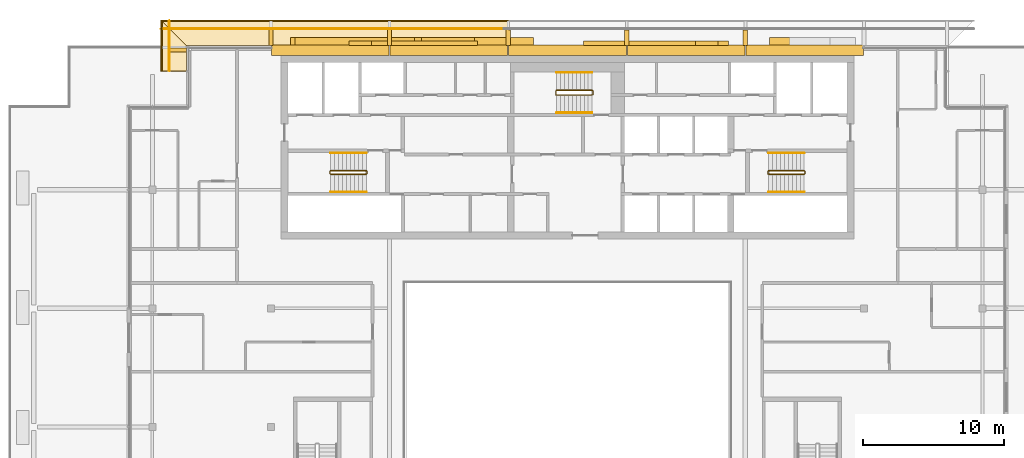
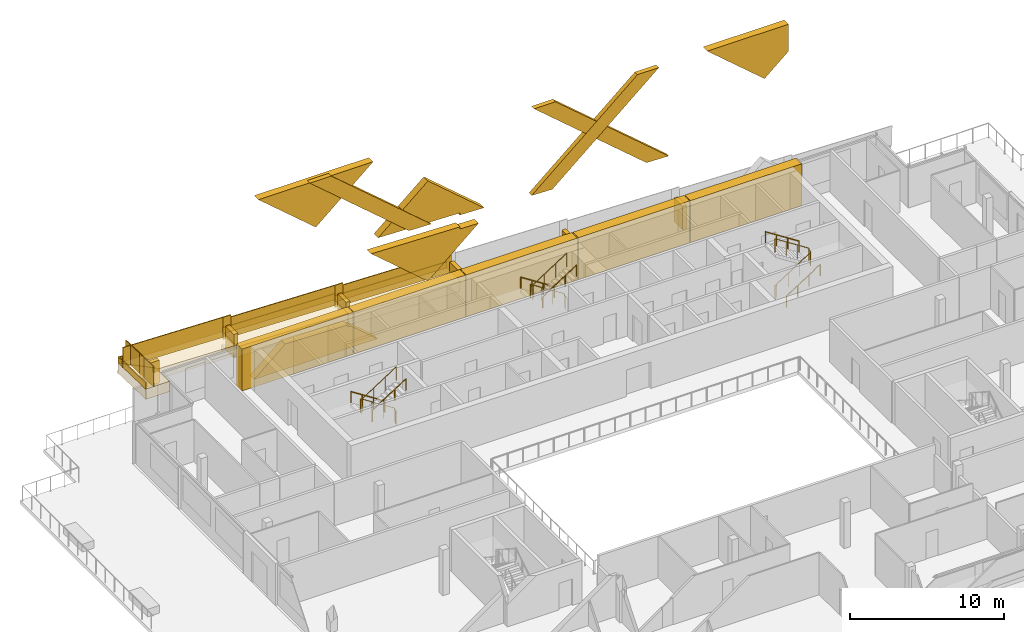
# One storey, part 26 of 29: 27 coverings, 16 railings.
"""IFC4 building model written with IfcOpenShell, lengths in metres."""

from ifc_helpers import new_model, si_unit, direction, frame, origin, origin_2d, place, context, subcontext, project, spatial, polyline, rectangle, circle, outline, extrude, material, layer, layer_set, type_object, element, save


model = new_model("IFC4")

# Units and contexts
model_context = context("Model", 3, precision=1e-05, world=origin(), true_north=direction((0.0, 1.0)))
body_context = subcontext(model_context, "Body", "Model", "MODEL_VIEW")
ifc_project = project(units=[si_unit("LENGTHUNIT", "METRE"), si_unit("AREAUNIT", "SQUARE_METRE"), si_unit("VOLUMEUNIT", "CUBIC_METRE"), si_unit("PLANEANGLEUNIT", "RADIAN"), si_unit("MASSUNIT", "GRAM", prefix="KILO")], contexts=[model_context])

# Site, building, storey
site_placement = place(None, origin())
site = spatial("IfcSite", under=ifc_project, at=site_placement, CompositionType="ELEMENT")
building_placement = place(site_placement, origin())
building = spatial("IfcBuilding", under=site, at=building_placement, Name="Saffron Gate Tower", CompositionType="ELEMENT")
storey_placement = place(building_placement, frame((0.0, 0.0, 270.75)))
storey = spatial("IfcBuildingStorey", under=building, at=storey_placement, Name="L65", CompositionType="ELEMENT", Elevation=270.75)

# Coverings
ifc_material_1 = material(Name="Ceramic-printed bronze insulated panel")
ifc_layer_1 = layer(ifc_material_1, 0.739990234375)
ifc_layer_set_1 = layer_set([ifc_layer_1], Name="CLD5 ceramic-printed cladding panel 740")
covering_type_1 = type_object("IfcCoveringType", Name="CLD5 ceramic-printed cladding panel 740", PredefinedType="CLADDING", material=ifc_layer_set_1)
covering_1_placement = place(storey_placement, origin())
element("IfcCovering", 1, at=covering_1_placement, inside=storey, type_object=covering_type_1, Name="CLADDING ceramic-printed panel", PredefinedType="CLADDING", context=body_context, shape_type="SweptSolid", body=[
    extrude(outline(polyline([(108.56494140625, 75.639892578125), (100.235107421875, 75.639892578125), (100.235107421875, 74.89990234375), (108.56494140625, 74.89990234375), (108.56494140625, 75.639892578125)])), origin(), (0.0, 0.0, 1.0), 3.320068359375),
])
covering_2_placement = place(storey_placement, origin())
element("IfcCovering", 2, at=covering_2_placement, inside=storey, type_object=covering_type_1, Name="CLADDING ceramic-printed panel", PredefinedType="CLADDING", context=body_context, shape_type="SweptSolid", body=[
    extrude(outline(polyline([(100.1650390625, 75.639892578125), (91.8349609375, 75.639892578125), (91.8349609375, 74.89990234375), (100.1650390625, 74.89990234375), (100.1650390625, 75.639892578125)])), origin(), (0.0, 0.0, 1.0), 3.320068359375),
])
covering_3_placement = place(storey_placement, origin())
element("IfcCovering", 3, at=covering_3_placement, inside=storey, type_object=covering_type_1, Name="CLADDING ceramic-printed panel", PredefinedType="CLADDING", context=body_context, shape_type="SweptSolid", body=[
    extrude(outline(polyline([(91.764892578125, 75.639892578125), (83.43505859375, 75.639892578125), (83.43505859375, 74.89990234375), (91.764892578125, 74.89990234375), (91.764892578125, 75.639892578125)])), origin(), (0.0, 0.0, 1.0), 3.320068359375),
])
covering_4_placement = place(storey_placement, origin())
element("IfcCovering", 4, at=covering_4_placement, inside=storey, type_object=covering_type_1, Name="CLADDING ceramic-printed panel", PredefinedType="CLADDING", context=body_context, shape_type="SweptSolid", body=[
    extrude(outline(polyline([(83.364990234375, 75.639892578125), (75.034912109375, 75.639892578125), (75.034912109375, 74.89990234375), (83.364990234375, 74.89990234375), (83.364990234375, 75.639892578125)])), origin(), (0.0, 0.0, 1.0), 3.320068359375),
])
covering_5_placement = place(storey_placement, origin())
element("IfcCovering", 5, at=covering_5_placement, inside=storey, type_object=covering_type_1, Name="CLADDING ceramic-printed panel", PredefinedType="CLADDING", context=body_context, shape_type="SweptSolid", body=[
    extrude(outline(polyline([(74.965087890625, 75.639892578125), (66.635009765625, 75.639892578125), (66.635009765625, 74.89990234375), (74.965087890625, 74.89990234375), (74.965087890625, 75.639892578125)])), origin(), (0.0, 0.0, 1.0), 3.320068359375),
])

# Railings
ifc_material_2 = material(Name="Stainless steel and laminated glass", Category="steel")
railing_type_1 = type_object("IfcRailingType", Name="CR1 Stair guard 1100", PredefinedType="GUARDRAIL", material=ifc_material_2)
railing_1_placement = place(storey_placement, frame((73.39990234375, 66.550048828125, 0.0)))
element("IfcRailing", 6, at=railing_1_placement, inside=storey, type_object=railing_type_1, Name="L65 ST-A stair guard 1", PredefinedType="GUARDRAIL", context=body_context, shape_type="SweptSolid", body=[
    extrude(circle(Radius=0.02392578125, at=origin_2d()), frame((0.0, 0.0, 1.076171875), z_axis=(0.0, 1.0, 0.0), x_axis=(-1.0, 0.0, 0.0)), (0.0, 0.0, 1.0), 0.14990234375),
    extrude(circle(Radius=0.02392578125, at=origin_2d()), frame((0.0, 0.14990234375, 1.076171875), z_axis=(-0.257669022063, 0.258932105505, 0.930892496375), x_axis=(-0.708833529934, -0.705375805398, 0.0)), (0.0, 0.0, 1.0), 0.193359375),
    extrude(circle(Radius=0.02392578125, at=origin_2d()), frame((-0.0498046875, 0.199951171875, 1.255859375), z_axis=(-0.841162588446, 0.0, 0.540782303519), x_axis=(0.0, -1.0, 0.0)), (0.0, 0.0, 1.0), 2.995849609375),
    extrude(circle(Radius=0.02392578125, at=origin_2d()), frame((-2.56982421875, 0.199951171875, 2.8759765625), z_axis=(-0.707106781187, -0.707106781187, 0.0), x_axis=(0.707106781187, -0.707106781187, 0.0)), (0.0, 0.0, 1.0), 0.07080078125),
    extrude(circle(Radius=0.02392578125, at=origin_2d()), frame((-2.619873046875, 0.14990234375, 2.8759765625), z_axis=(0.0, -1.0, 0.0), x_axis=(1.0, 0.0, 0.0)), (0.0, 0.0, 1.0), 0.14990234375),
    extrude(circle(Radius=0.02392578125, at=origin_2d()), frame((-2.619873046875, 0.0, 2.8759765625), z_axis=(0.258847668887, -0.258847668887, 0.930588936439), x_axis=(0.707106781187, 0.707106781187, 0.0)), (0.0, 0.0, 1.0), 0.193359375),
    extrude(circle(Radius=0.02392578125, at=origin_2d()), frame((-2.56982421875, -0.050048828125, 3.05615234375), z_axis=(0.841162588446, 0.0, 0.540782303519), x_axis=(0.0, 1.0, 0.0)), (0.0, 0.0, 1.0), 2.995849609375),
    extrude(circle(Radius=0.02099609375, at=origin_2d()), origin(), (0.0, 0.0, 1.0), 1.052001953125),
    extrude(circle(Radius=0.02099609375, at=origin_2d()), frame((0.0, 0.14990234375, 0.0)), (0.0, 0.0, 1.0), 1.052001953125),
    extrude(circle(Radius=0.02099609375, at=origin_2d()), frame((-0.0498046875, 0.199951171875, 0.179931640625)), (0.0, 0.0, 1.0), 1.052001953125),
    extrude(circle(Radius=0.02099609375, at=origin_2d()), frame((-0.889892578125, 0.199951171875, 0.719970703125)), (0.0, 0.0, 1.0), 1.052001953125),
    extrude(circle(Radius=0.02099609375, at=origin_2d()), frame((-1.729736328125, 0.199951171875, 1.260009765625)), (0.0, 0.0, 1.0), 1.052001953125),
    extrude(circle(Radius=0.02099609375, at=origin_2d()), frame((-2.56982421875, 0.199951171875, 1.800048828125)), (0.0, 0.0, 1.0), 1.052001953125),
    extrude(circle(Radius=0.02099609375, at=origin_2d()), frame((-2.619873046875, 0.14990234375, 1.800048828125)), (0.0, 0.0, 1.0), 1.052001953125),
    extrude(circle(Radius=0.02099609375, at=origin_2d()), frame((-2.619873046875, 0.0, 1.800048828125)), (0.0, 0.0, 1.0), 1.052001953125),
    extrude(circle(Radius=0.02099609375, at=origin_2d()), frame((-2.56982421875, -0.050048828125, 1.97998046875)), (0.0, 0.0, 1.0), 1.052001953125),
    extrude(circle(Radius=0.02099609375, at=origin_2d()), frame((-1.729736328125, -0.050048828125, 2.52001953125)), (0.0, 0.0, 1.0), 1.052001953125),
    extrude(circle(Radius=0.02099609375, at=origin_2d()), frame((-0.889892578125, -0.050048828125, 3.06005859375)), (0.0, 0.0, 1.0), 1.052001953125),
    extrude(circle(Radius=0.02099609375, at=origin_2d()), frame((-0.0498046875, -0.050048828125, 3.60009765625)), (0.0, 0.0, 1.0), 1.052001953125),
])
railing_2_placement = place(storey_placement, frame((101.800048828125, 66.699951171875, 0.0)))
element("IfcRailing", 7, at=railing_2_placement, inside=storey, type_object=railing_type_1, Name="L65 ST-B stair guard 1", PredefinedType="GUARDRAIL", context=body_context, shape_type="SweptSolid", body=[
    extrude(circle(Radius=0.02392578125, at=origin_2d()), frame((0.0, 0.0, 1.076171875), z_axis=(0.0, -1.0, 0.0), x_axis=(1.0, 0.0, 0.0)), (0.0, 0.0, 1.0), 0.14990234375),
    extrude(circle(Radius=0.02392578125, at=origin_2d()), frame((0.0, -0.14990234375, 1.076171875), z_axis=(0.258847668887, -0.258847668887, 0.930588936439), x_axis=(0.707106781187, 0.707106781187, 0.0)), (0.0, 0.0, 1.0), 0.193359375),
    extrude(circle(Radius=0.02392578125, at=origin_2d()), frame((0.050048828125, -0.199951171875, 1.255859375), z_axis=(0.841162588446, 0.0, 0.540782303519), x_axis=(0.0, 1.0, 0.0)), (0.0, 0.0, 1.0), 2.995849609375),
    extrude(circle(Radius=0.02392578125, at=origin_2d()), frame((2.570068359375, -0.199951171875, 2.8759765625), z_axis=(0.705375805398, 0.708833529934, 0.0), x_axis=(-0.708833529934, 0.705375805398, 0.0)), (0.0, 0.0, 1.0), 0.070556640625),
    extrude(circle(Radius=0.02392578125, at=origin_2d()), frame((2.619873046875, -0.14990234375, 2.8759765625), z_axis=(0.0, 1.0, 0.0), x_axis=(-1.0, 0.0, 0.0)), (0.0, 0.0, 1.0), 0.14990234375),
    extrude(circle(Radius=0.02392578125, at=origin_2d()), frame((2.619873046875, 0.0, 2.8759765625), z_axis=(-0.257669022063, 0.258932105505, 0.930892496375), x_axis=(-0.708833529934, -0.705375805398, 0.0)), (0.0, 0.0, 1.0), 0.193359375),
    extrude(circle(Radius=0.02392578125, at=origin_2d()), frame((2.570068359375, 0.050048828125, 3.05615234375), z_axis=(-0.841162588446, 0.0, 0.540782303519), x_axis=(0.0, -1.0, 0.0)), (0.0, 0.0, 1.0), 2.995849609375),
    extrude(circle(Radius=0.02099609375, at=origin_2d()), origin(), (0.0, 0.0, 1.0), 1.052001953125),
    extrude(circle(Radius=0.02099609375, at=origin_2d()), frame((0.0, -0.14990234375, 0.0)), (0.0, 0.0, 1.0), 1.052001953125),
    extrude(circle(Radius=0.02099609375, at=origin_2d()), frame((0.050048828125, -0.199951171875, 0.179931640625)), (0.0, 0.0, 1.0), 1.052001953125),
    extrude(circle(Radius=0.02099609375, at=origin_2d()), frame((0.89013671875, -0.199951171875, 0.719970703125)), (0.0, 0.0, 1.0), 1.052001953125),
    extrude(circle(Radius=0.02099609375, at=origin_2d()), frame((1.72998046875, -0.199951171875, 1.260009765625)), (0.0, 0.0, 1.0), 1.052001953125),
    extrude(circle(Radius=0.02099609375, at=origin_2d()), frame((2.570068359375, -0.199951171875, 1.800048828125)), (0.0, 0.0, 1.0), 1.052001953125),
    extrude(circle(Radius=0.02099609375, at=origin_2d()), frame((2.619873046875, -0.14990234375, 1.800048828125)), (0.0, 0.0, 1.0), 1.052001953125),
    extrude(circle(Radius=0.02099609375, at=origin_2d()), frame((2.619873046875, 0.0, 1.800048828125)), (0.0, 0.0, 1.0), 1.052001953125),
    extrude(circle(Radius=0.02099609375, at=origin_2d()), frame((2.570068359375, 0.050048828125, 1.97998046875)), (0.0, 0.0, 1.0), 1.052001953125),
    extrude(circle(Radius=0.02099609375, at=origin_2d()), frame((1.72998046875, 0.050048828125, 2.52001953125)), (0.0, 0.0, 1.0), 1.052001953125),
    extrude(circle(Radius=0.02099609375, at=origin_2d()), frame((0.89013671875, 0.050048828125, 3.06005859375)), (0.0, 0.0, 1.0), 1.052001953125),
    extrude(circle(Radius=0.02099609375, at=origin_2d()), frame((0.050048828125, 0.050048828125, 3.60009765625)), (0.0, 0.0, 1.0), 1.052001953125),
])
railing_3_placement = place(storey_placement, frame((89.39990234375, 72.14990234375, 0.0)))
element("IfcRailing", 8, at=railing_3_placement, inside=storey, type_object=railing_type_1, Name="L65 ST-C stair guard 1", PredefinedType="GUARDRAIL", context=body_context, shape_type="SweptSolid", body=[
    extrude(circle(Radius=0.02392578125, at=origin_2d()), frame((0.0, 0.0, 1.076171875), z_axis=(0.0, 1.0, 0.0), x_axis=(-1.0, 0.0, 0.0)), (0.0, 0.0, 1.0), 0.25),
    extrude(circle(Radius=0.02392578125, at=origin_2d()), frame((0.0, 0.25, 1.076171875), z_axis=(-0.257669022063, 0.258932105505, 0.930892496375), x_axis=(-0.708833529934, -0.705375805398, 0.0)), (0.0, 0.0, 1.0), 0.193359375),
    extrude(circle(Radius=0.02392578125, at=origin_2d()), frame((-0.0498046875, 0.300048828125, 1.255859375), z_axis=(-0.841162588446, 0.0, 0.540782303519), x_axis=(0.0, -1.0, 0.0)), (0.0, 0.0, 1.0), 2.995849609375),
    extrude(circle(Radius=0.02392578125, at=origin_2d()), frame((-2.56982421875, 0.300048828125, 2.8759765625), z_axis=(-0.707106781187, -0.707106781187, 0.0), x_axis=(0.707106781187, -0.707106781187, 0.0)), (0.0, 0.0, 1.0), 0.07080078125),
    extrude(circle(Radius=0.02392578125, at=origin_2d()), frame((-2.619873046875, 0.25, 2.8759765625), z_axis=(0.0, -1.0, 0.0), x_axis=(1.0, 0.0, 0.0)), (0.0, 0.0, 1.0), 0.25),
    extrude(circle(Radius=0.02392578125, at=origin_2d()), frame((-2.619873046875, 0.0, 2.8759765625), z_axis=(0.258932105505, -0.257669022063, 0.930892496375), x_axis=(0.705375805398, 0.708833529934, 0.0)), (0.0, 0.0, 1.0), 0.193359375),
    extrude(circle(Radius=0.02392578125, at=origin_2d()), frame((-2.56982421875, -0.0498046875, 3.05615234375), z_axis=(0.841162588446, 0.0, 0.540782303519), x_axis=(0.0, 1.0, 0.0)), (0.0, 0.0, 1.0), 2.995849609375),
    extrude(circle(Radius=0.02099609375, at=origin_2d()), origin(), (0.0, 0.0, 1.0), 1.052001953125),
    extrude(circle(Radius=0.02099609375, at=origin_2d()), frame((0.0, 0.25, 0.0)), (0.0, 0.0, 1.0), 1.052001953125),
    extrude(circle(Radius=0.02099609375, at=origin_2d()), frame((-0.0498046875, 0.300048828125, 0.179931640625)), (0.0, 0.0, 1.0), 1.052001953125),
    extrude(circle(Radius=0.02099609375, at=origin_2d()), frame((-0.889892578125, 0.300048828125, 0.719970703125)), (0.0, 0.0, 1.0), 1.052001953125),
    extrude(circle(Radius=0.02099609375, at=origin_2d()), frame((-1.729736328125, 0.300048828125, 1.260009765625)), (0.0, 0.0, 1.0), 1.052001953125),
    extrude(circle(Radius=0.02099609375, at=origin_2d()), frame((-2.56982421875, 0.300048828125, 1.800048828125)), (0.0, 0.0, 1.0), 1.052001953125),
    extrude(circle(Radius=0.02099609375, at=origin_2d()), frame((-2.619873046875, 0.25, 1.800048828125)), (0.0, 0.0, 1.0), 1.052001953125),
    extrude(circle(Radius=0.02099609375, at=origin_2d()), frame((-2.619873046875, 0.0, 1.800048828125)), (0.0, 0.0, 1.0), 1.052001953125),
    extrude(circle(Radius=0.02099609375, at=origin_2d()), frame((-2.56982421875, -0.0498046875, 1.97998046875)), (0.0, 0.0, 1.0), 1.052001953125),
    extrude(circle(Radius=0.02099609375, at=origin_2d()), frame((-1.729736328125, -0.0498046875, 2.52001953125)), (0.0, 0.0, 1.0), 1.052001953125),
    extrude(circle(Radius=0.02099609375, at=origin_2d()), frame((-0.889892578125, -0.0498046875, 3.06005859375)), (0.0, 0.0, 1.0), 1.052001953125),
    extrude(circle(Radius=0.02099609375, at=origin_2d()), frame((-0.0498046875, -0.0498046875, 3.60009765625)), (0.0, 0.0, 1.0), 1.052001953125),
])
ifc_material_3 = material(Name="Stainless steel", Category="steel")
railing_type_2 = type_object("IfcRailingType", Name="CR2 Stair handrail 900", PredefinedType="HANDRAIL", material=ifc_material_3)
railing_4_placement = place(storey_placement, frame((73.35009765625, 68.0, 0.179931640625)))
element("IfcRailing", 9, at=railing_4_placement, inside=storey, type_object=railing_type_2, Name="L65 ST-A stair handrail 1", PredefinedType="HANDRAIL", context=body_context, shape_type="SweptSolid", body=[
    extrude(circle(Radius=0.02392578125, at=origin_2d()), frame((0.0, 0.0, 0.8759765625), z_axis=(-0.841162588446, 0.0, 0.540782303519), x_axis=(0.0, -1.0, 0.0)), (0.0, 0.0, 1.0), 2.995849609375),
    extrude(circle(Radius=0.02099609375, at=origin_2d()), origin(), (0.0, 0.0, 1.0), 0.851806640625),
    extrude(circle(Radius=0.02099609375, at=origin_2d()), frame((-0.840087890625, 0.0, 0.5400390625)), (0.0, 0.0, 1.0), 0.851806640625),
    extrude(circle(Radius=0.02099609375, at=origin_2d()), frame((-1.679931640625, 0.0, 1.080078125)), (0.0, 0.0, 1.0), 0.851806640625),
    extrude(circle(Radius=0.02099609375, at=origin_2d()), frame((-2.52001953125, 0.0, 1.6201171875)), (0.0, 0.0, 1.0), 0.851806640625),
])
for number, where, name in (
    (10, (70.830078125, 65.25, 1.97998046875), "L65 ST-A stair handrail 2"),
    (11, (101.85009765625, 65.25, 0.179931640625), "L65 ST-B stair handrail 1"),
):
    element("IfcRailing", number, at=place(storey_placement, frame(where)), inside=storey, type_object=railing_type_2, Name=name, PredefinedType="HANDRAIL", context=body_context, shape_type="SweptSolid", body=[
        extrude(circle(Radius=0.02392578125, at=origin_2d()), frame((0.0, 0.0, 0.8759765625), z_axis=(0.841162588446, 0.0, 0.540782303519), x_axis=(0.0, 1.0, 0.0)), (0.0, 0.0, 1.0), 2.995849609375),
        extrude(circle(Radius=0.02099609375, at=origin_2d()), origin(), (0.0, 0.0, 1.0), 0.851806640625),
        extrude(circle(Radius=0.02099609375, at=origin_2d()), frame((0.840087890625, 0.0, 0.5400390625)), (0.0, 0.0, 1.0), 0.851806640625),
        extrude(circle(Radius=0.02099609375, at=origin_2d()), frame((1.679931640625, 0.0, 1.080078125)), (0.0, 0.0, 1.0), 0.851806640625),
        extrude(circle(Radius=0.02099609375, at=origin_2d()), frame((2.52001953125, 0.0, 1.6201171875)), (0.0, 0.0, 1.0), 0.851806640625),
    ])
for number, where, name in (
    (12, (104.3701171875, 68.0, 1.97998046875), "L65 ST-B stair handrail 2"),
    (13, (89.35009765625, 73.699951171875, 0.179931640625), "L65 ST-C stair handrail 1"),
):
    element("IfcRailing", number, at=place(storey_placement, frame(where)), inside=storey, type_object=railing_type_2, Name=name, PredefinedType="HANDRAIL", context=body_context, shape_type="SweptSolid", body=[
        extrude(circle(Radius=0.02392578125, at=origin_2d()), frame((0.0, 0.0, 0.8759765625), z_axis=(-0.841162588446, 0.0, 0.540782303519), x_axis=(0.0, -1.0, 0.0)), (0.0, 0.0, 1.0), 2.995849609375),
        extrude(circle(Radius=0.02099609375, at=origin_2d()), origin(), (0.0, 0.0, 1.0), 0.851806640625),
        extrude(circle(Radius=0.02099609375, at=origin_2d()), frame((-0.840087890625, 0.0, 0.5400390625)), (0.0, 0.0, 1.0), 0.851806640625),
        extrude(circle(Radius=0.02099609375, at=origin_2d()), frame((-1.679931640625, 0.0, 1.080078125)), (0.0, 0.0, 1.0), 0.851806640625),
        extrude(circle(Radius=0.02099609375, at=origin_2d()), frame((-2.52001953125, 0.0, 1.6201171875)), (0.0, 0.0, 1.0), 0.851806640625),
    ])
railing_5_placement = place(storey_placement, frame((86.830078125, 70.85009765625, 1.97998046875)))
element("IfcRailing", 14, at=railing_5_placement, inside=storey, type_object=railing_type_2, Name="L65 ST-C stair handrail 2", PredefinedType="HANDRAIL", context=body_context, shape_type="SweptSolid", body=[
    extrude(circle(Radius=0.02392578125, at=origin_2d()), frame((0.0, 0.0, 0.8759765625), z_axis=(0.841162588446, 0.0, 0.540782303519), x_axis=(0.0, 1.0, 0.0)), (0.0, 0.0, 1.0), 2.995849609375),
    extrude(circle(Radius=0.02099609375, at=origin_2d()), origin(), (0.0, 0.0, 1.0), 0.851806640625),
    extrude(circle(Radius=0.02099609375, at=origin_2d()), frame((0.840087890625, 0.0, 0.5400390625)), (0.0, 0.0, 1.0), 0.851806640625),
    extrude(circle(Radius=0.02099609375, at=origin_2d()), frame((1.679931640625, 0.0, 1.080078125)), (0.0, 0.0, 1.0), 0.851806640625),
    extrude(circle(Radius=0.02099609375, at=origin_2d()), frame((2.52001953125, 0.0, 1.6201171875)), (0.0, 0.0, 1.0), 0.851806640625),
])

# Coverings
ifc_material_4 = material(Name="Timber, thermally modified ash", Category="wood")
ifc_layer_2 = layer(ifc_material_4, 0.800048828125)
ifc_layer_set_2 = layer_set([ifc_layer_2], Name="LD1 ledge timber")
covering_type_2 = type_object("IfcCoveringType", Name="LD1 ledge timber", PredefinedType="CLADDING", material=ifc_layer_set_2)
for number, where, z_axis, x_axis, name in (
    (15, (83.39990234375, 75.60009765625, 2.41064453125), (0.028791175352, 0.0, 0.999585448184), (-0.999585448184, 0.0, 0.028791175352), "LEDGE"),
    (16, (75.0, 75.60009765625, 2.8173828125), (0.028791175352, 0.0, 0.999585448184), (-0.999585448184, 0.0, 0.028791175352), "LEDGE"),
):
    element("IfcCovering", number, at=place(storey_placement, frame(where, z_axis=z_axis, x_axis=x_axis)), inside=storey, type_object=covering_type_2, Name=name, PredefinedType="CLADDING", context=body_context, shape_type="SweptSolid", body=[
        extrude(outline(polyline([(0.0, 0.0), (8.403385982666892, 0.0), (8.403385982666892, -1.7998046875), (0.0, -1.7998046875), (0.0, 0.0)])), origin(), (0.0, 0.0, -1.0), 0.800048828125),
    ])
covering_6_placement = place(storey_placement, frame((66.60009765625, 75.60009765625, 3.22412109375), z_axis=(0.028771807682, -5.2718455e-05, 0.999586004456), x_axis=(-0.999586005845, -8.33e-10, 0.028771807722)))
element("IfcCovering", 17, at=covering_6_placement, inside=storey, type_object=covering_type_2, Name="LEDGE", PredefinedType="CLADDING", context=body_context, shape_type="SweptSolid", body=[
    extrude(outline(polyline([(0.0, 0.0), (6.00248226262132, 0.0), (7.803282069748724, -1.7998046965037924), (-1.4998410179068059e-09, -1.7998046849989597), (0.0, 0.0)])), origin(), (0.0, 0.0, -1.0), 0.800048828125),
])
covering_7_placement = place(storey_placement, frame((60.60009765625, 75.60009765625, 3.514404296875), z_axis=(4.3887651e-05, 0.028833291474, 0.999584233257), x_axis=(-1.925e-09, -0.99958423422, 0.028833291502)))
element("IfcCovering", 18, at=covering_7_placement, inside=storey, type_object=covering_type_2, Name="LEDGE", PredefinedType="CLADDING", context=body_context, shape_type="SweptSolid", body=[
    extrude(outline(polyline([(0.0, 0.0), (1.8007998168930421, 4.235164736271502e-22), (1.8007998203587168, -1.8000488263914396), (-1.8005487349298768, -1.8000488367923182), (0.0, 0.0)])), origin(), (0.0, 0.0, -1.0), 0.800048828125),
])
ifc_layer_3 = layer(ifc_material_4, 0.080078125)
ifc_layer_set_3 = layer_set([ifc_layer_3], Name="LD2 ledge planter trough")
covering_type_3 = type_object("IfcCoveringType", Name="LD2 ledge planter trough", PredefinedType="CLADDING", material=ifc_layer_set_3)
for number, where, z_axis, x_axis, name in (
    (19, (83.39990234375, 77.39990234375, 2.41064453125), (0.0, 1.0, 0.0), (-0.999585448184, 0.0, 0.028791175352), "LEDGE planter trough"),
    (20, (75.0, 77.39990234375, 2.8173828125), (0.0, 1.0, 0.0), (-0.999585448184, 0.0, 0.028791175352), "LEDGE planter trough"),
):
    element("IfcCovering", number, at=place(storey_placement, frame(where, z_axis=z_axis, x_axis=x_axis)), inside=storey, type_object=covering_type_3, Name=name, PredefinedType="CLADDING", context=body_context, shape_type="SweptSolid", body=[
        extrude(outline(polyline([(0.0, 0.0), (8.403385982666892, 0.0), (8.417781570342743, 0.49979272409216496), (0.014395587675851172, 0.4997927240921649), (0.0, 0.0)])), origin(), (0.0, 0.0, -1.0), 0.080078125),
    ])
covering_8_placement = place(storey_placement, frame((66.60009765625, 77.39990234375, 3.22412109375), z_axis=(0.0, 1.0, 0.0), x_axis=(-0.999585655924, 0.0, 0.028783962047)))
element("IfcCovering", 21, at=covering_8_placement, inside=storey, type_object=covering_type_3, Name="LEDGE planter trough", PredefinedType="CLADDING", context=body_context, shape_type="SweptSolid", body=[
    extrude(outline(polyline([(0.0, 0.0), (7.803282071825423, 2.7755575615628914e-17), (7.817674052849086, 0.4997928279619612), (0.014391981023662846, 0.4997928279619612), (0.0, 0.0)])), origin(), (0.0, 0.0, -1.0), 0.080078125),
])
covering_9_placement = place(storey_placement, frame((58.800048828125, 77.39990234375, 3.462646484375), z_axis=(-1.0, 0.0, 0.0), x_axis=(0.0, -0.999584866472, 0.028811364412)))
element("IfcCovering", 22, at=covering_9_placement, inside=storey, type_object=covering_type_3, Name="LEDGE planter trough", PredefinedType="CLADDING", context=body_context, shape_type="SweptSolid", body=[
    extrude(outline(polyline([(0.0, 0.0), (3.601348556155073, 0.0), (3.6157542383609322, 0.49979243323622236), (0.01440568220585924, 0.49979243323622236), (0.0, 0.0)])), origin(), (0.0, 0.0, -1.0), 0.080078125),
])
ifc_layer_4 = layer(ifc_material_4, 0.300048828125)
ifc_layer_set_4 = layer_set([ifc_layer_4], Name="LD3 ledge riser fin")
covering_type_4 = type_object("IfcCoveringType", Name="LD3 ledge riser fin", PredefinedType="CLADDING", material=ifc_layer_set_4)
for number, where, z_axis, x_axis, name in (
    (23, (100.199951171875, 76.159912109375, 0.632568359375), (0.0, 0.0, 1.0), (-1.0, 0.0, 0.0), "LEDGE riser fin"),
    (24, (91.800048828125, 76.159912109375, 1.0390625), (0.0, 0.0, 1.0), (-1.0, 0.0, 0.0), "LEDGE riser fin"),
    (25, (83.39990234375, 76.159912109375, 1.44580078125), (0.0, 0.0, 1.0), (-1.0, 0.0, 0.0), "LEDGE riser fin"),
    (26, (75.0, 76.159912109375, 1.8525390625), (0.0, 0.0, 1.0), (-1.0, 0.0, 0.0), "LEDGE riser fin"),
    (27, (66.60009765625, 76.159912109375, 2.25927734375), (0.0, 0.0, 1.0), (-1.0, 0.0, 0.0), "LEDGE riser fin"),
):
    element("IfcCovering", number, at=place(storey_placement, frame(where, z_axis=z_axis, x_axis=x_axis)), inside=storey, type_object=covering_type_4, Name=name, PredefinedType="CLADDING", context=body_context, shape_type="SweptSolid", body=[
        extrude(rectangle(XDim=0.300048828125, YDim=1.1201171875, at=origin_2d()), origin(), (0.0, 0.0, 1.0), 1.86474609375),
    ])
covering_10_placement = place(storey_placement, frame((60.0400390625, 75.300048828125, 2.5966796875), z_axis=(0.0, 0.0, 1.0), x_axis=(0.0, -1.0, 0.0)))
element("IfcCovering", 28, at=covering_10_placement, inside=storey, type_object=covering_type_4, Name="LEDGE riser fin", PredefinedType="CLADDING", context=body_context, shape_type="SweptSolid", body=[
    extrude(rectangle(XDim=0.300048828125, YDim=1.1201171875, at=origin_2d()), origin(), (0.0, 0.0, 1.0), 1.817626953125),
])

# Railings
railing_type_3 = type_object("IfcRailingType", Name="LG1 ledge balustrade", PredefinedType="BALUSTRADE", material=ifc_material_4)
for number, where, name in (
    (29, (83.39990234375, 76.800048828125, 2.41064453125), "LEDGE BALUSTRADE"),
    (30, (75.0, 76.800048828125, 2.8173828125), "LEDGE BALUSTRADE"),
):
    element("IfcRailing", number, at=place(storey_placement, frame(where)), inside=storey, type_object=railing_type_3, Name=name, PredefinedType="BALUSTRADE", context=body_context, shape_type="SweptSolid", body=[
        extrude(rectangle(XDim=0.06005859375, YDim=1.60009765625, at=origin_2d()), frame((0.0, 0.0, 0.800048828125), z_axis=(-0.999585448184, 0.0, 0.028791175352), x_axis=(0.0, -1.0, 0.0)), (0.0, 0.0, 1.0), 8.4033203125),
    ])
railing_6_placement = place(storey_placement, frame((75.300048828125, 76.800048828125, 2.652587890625)))
element("IfcRailing", 31, at=railing_6_placement, inside=storey, type_object=railing_type_3, Name="LEDGE BALUSTRADE", PredefinedType="BALUSTRADE", context=body_context, shape_type="SweptSolid", body=[
    extrude(rectangle(XDim=0.06005859375, YDim=1.7646484375, at=origin_2d()), frame((0.0, 0.0, 0.88232421875), z_axis=(-1.0, 0.0, 0.0), x_axis=(0.0, -1.0, 0.0)), (0.0, 0.0, 1.0), 0.60009765625),
])
railing_7_placement = place(storey_placement, frame((66.60009765625, 76.800048828125, 3.22412109375)))
element("IfcRailing", 32, at=railing_7_placement, inside=storey, type_object=railing_type_3, Name="LEDGE BALUSTRADE", PredefinedType="BALUSTRADE", context=body_context, shape_type="SweptSolid", body=[
    extrude(rectangle(XDim=0.06005859375, YDim=1.60009765625, at=origin_2d()), frame((0.0, 0.0, 0.800048828125), z_axis=(-0.999585655924, 0.0, 0.028783962047), x_axis=(0.0, -1.0, 0.0)), (0.0, 0.0, 1.0), 7.80322265625),
])
railing_8_placement = place(storey_placement, frame((66.89990234375, 76.800048828125, 3.059326171875)))
element("IfcRailing", 33, at=railing_8_placement, inside=storey, type_object=railing_type_3, Name="LEDGE BALUSTRADE", PredefinedType="BALUSTRADE", context=body_context, shape_type="SweptSolid", body=[
    extrude(rectangle(XDim=0.06005859375, YDim=1.7646484375, at=origin_2d()), frame((0.0, 0.0, 0.88232421875), z_axis=(-1.0, 0.0, 0.0), x_axis=(0.0, -1.0, 0.0)), (0.0, 0.0, 1.0), 0.599853515625),
])
railing_9_placement = place(storey_placement, frame((59.39990234375, 77.39990234375, 3.462646484375)))
element("IfcRailing", 34, at=railing_9_placement, inside=storey, type_object=railing_type_3, Name="LEDGE BALUSTRADE", PredefinedType="BALUSTRADE", context=body_context, shape_type="SweptSolid", body=[
    extrude(rectangle(XDim=0.06005859375, YDim=1.60009765625, at=origin_2d()), frame((0.0, 0.0, 0.800048828125), z_axis=(0.0, -0.999584866472, 0.028811364412), x_axis=(1.0, 0.0, 0.0)), (0.0, 0.0, 1.0), 3.601318359375),
])
railing_10_placement = place(storey_placement, frame((59.39990234375, 75.60009765625, 3.396728515625)))
element("IfcRailing", 35, at=railing_10_placement, inside=storey, type_object=railing_type_3, Name="LEDGE BALUSTRADE", PredefinedType="BALUSTRADE", context=body_context, shape_type="SweptSolid", body=[
    extrude(rectangle(XDim=0.06005859375, YDim=1.7177734375, at=origin_2d()), frame((0.0, 0.0, 0.85888671875), z_axis=(0.0, -1.0, 0.0), x_axis=(1.0, 0.0, 0.0)), (0.0, 0.0, 1.0), 0.60009765625),
])

# Coverings
ifc_layer_5 = layer(ifc_material_1, 0.35009765625)
ifc_layer_set_5 = layer_set([ifc_layer_5], Name="LZ1 lozenge lattice bar 1600")
covering_type_5 = type_object("IfcCoveringType", Name="LZ1 lozenge lattice bar 1600", PredefinedType="CLADDING", material=ifc_layer_set_5)
covering_11_placement = place(storey_placement, frame((98.99560546875, 75.949951171875, 6.86083984375), z_axis=(0.0, 1.0, 0.0), x_axis=(-0.999582655558, 0.0, 0.028887968223)))
element("IfcCovering", 36, at=covering_11_placement, inside=storey, type_object=covering_type_5, Name="CLADDING lozenge lattice bar", PredefinedType="CLADDING", context=body_context, shape_type="SweptSolid", body=[
    extrude(outline(polyline([(0.0, 0.0), (1.6564530302159628, 0.0), (10.27435125187028, 6.965379173558666), (8.675165426218395, 7.011595691079717), (0.0, 0.0)])), origin(), (0.0, 0.0, -1.0), 0.35009765625),
])
covering_12_placement = place(storey_placement, frame((81.213623046875, 75.949951171875, 7.70263671875), z_axis=(0.0, 1.0, 0.0), x_axis=(-0.999586778905, 0.0, 0.028744937603)))
element("IfcCovering", 37, at=covering_12_placement, inside=storey, type_object=covering_type_5, Name="CLADDING lozenge lattice bar", PredefinedType="CLADDING", context=body_context, shape_type="SweptSolid", body=[
    extrude(outline(polyline([(0.0, 0.0), (1.6562019557102479, 0.0), (9.267629233566534, 6.153625852714069), (7.6684368111626835, 6.199613542194787), (0.0, 0.0)])), origin(), (0.0, 0.0, -1.0), 0.35009765625),
])
covering_13_placement = place(storey_placement, frame((90.2890625, 75.949951171875, 7.2763671875), z_axis=(0.0, 1.0, 0.0), x_axis=(-0.999583684676, 0.0, 0.02885233664)))
element("IfcCovering", 38, at=covering_13_placement, inside=storey, type_object=covering_type_5, Name="CLADDING lozenge lattice bar", PredefinedType="CLADDING", context=body_context, shape_type="SweptSolid", body=[
    extrude(outline(polyline([(0.0, 0.0), (1.5484962252077255, 0.0), (-6.184161292381113, 7.025102161124401), (-7.783592803456903, 7.071268717358923), (0.0, 0.0)])), origin(), (0.0, 0.0, -1.0), 0.35009765625),
])
ifc_layer_6 = layer(ifc_material_1, 0.550048828125)
ifc_layer_set_6 = layer_set([ifc_layer_6], Name="LZ2 rear relief panel 550")
covering_type_6 = type_object("IfcCoveringType", Name="LZ2 rear relief panel 550", PredefinedType="CLADDING", material=ifc_layer_set_6)
covering_14_placement = place(storey_placement, frame((70.31591796875, 76.18994140625, 2.002197265625), z_axis=(0.0, 1.0, 0.0), x_axis=(0.999584873087, 0.0, -0.028811134933)))
element("IfcCovering", 39, at=covering_14_placement, inside=storey, type_object=covering_type_6, Name="CLADDING rear relief panel", PredefinedType="CLADDING", context=body_context, shape_type="SweptSolid", body=[
    extrude(outline(polyline([(0.0, 0.0), (4.686027327309695, 0.0), (4.690768222071554, 0.16448247179211023), (4.932571090057138, 0.16459598198162095), (6.958872251856223, 1.8024525047425373), (-2.277282213894511, 2.06866711016108), (0.0, 0.0)])), origin(), (0.0, 0.0, -1.0), 0.550048828125),
])
covering_15_placement = place(storey_placement, frame((81.0, 76.18994140625, 11.159912109375), z_axis=(0.0, 1.0, 0.0), x_axis=(0.759269110648, 0.0, -0.650776780175)))
element("IfcCovering", 40, at=covering_15_placement, inside=storey, type_object=covering_type_6, Name="CLADDING rear relief panel", PredefinedType="CLADDING", context=body_context, shape_type="SweptSolid", body=[
    extrude(outline(polyline([(0.0, 0.0), (5.510992233441522, 0.0), (4.122610438923545, 1.1221488535044581), (4.015524611326345, 0.9972105281682826), (-0.7507965326104906, 4.849991333329254), (0.0, 0.0)])), origin(), (0.0, 0.0, -1.0), 0.550048828125),
])
covering_16_placement = place(storey_placement, frame((76.751953125, 76.18994140625, 6.881103515625), z_axis=(0.0, 1.0, 0.0), x_axis=(0.999585774398, 0.0, -0.028779847489)))
element("IfcCovering", 41, at=covering_16_placement, inside=storey, type_object=covering_type_6, Name="CLADDING rear relief panel", PredefinedType="CLADDING", context=body_context, shape_type="SweptSolid", body=[
    extrude(outline(polyline([(0.0, 0.0), (6.650704110665111, 0.0), (6.65544688338365, 0.16472665959925137), (8.042011418599635, 0.1648606617490768), (4.3510779101500185, 3.517346897719495), (0.0, 0.0)])), origin(), (0.0, 0.0, -1.0), 0.550048828125),
])
covering_17_placement = place(storey_placement, frame((106.199951171875, 76.18994140625, 10.43994140625), z_axis=(0.0, 1.0, 0.0), x_axis=(-0.759232220661, 0.0, 0.650819817699)))
element("IfcCovering", 42, at=covering_17_placement, inside=storey, type_object=covering_type_6, Name="CLADDING rear relief panel", PredefinedType="CLADDING", context=body_context, shape_type="SweptSolid", body=[
    extrude(outline(polyline([(0.0, 0.0), (5.654676887774201, -4.440892098500626e-16), (1.0284762619792331, 3.9656154809913753), (-0.3624604284846862, 2.3429790406432245), (0.0, 0.0)])), origin(), (0.0, 0.0, -1.0), 0.550048828125),
])
covering_18_placement = place(storey_placement, frame((72.60009765625, 76.18994140625, 10.43994140625), z_axis=(0.0, 1.0, 0.0), x_axis=(-0.759250507239, 0.0, 0.650798484369)))
element("IfcCovering", 43, at=covering_18_placement, inside=storey, type_object=covering_type_6, Name="CLADDING rear relief panel", PredefinedType="CLADDING", context=body_context, shape_type="SweptSolid", body=[
    extrude(outline(polyline([(0.0, 0.0), (5.654862249435357, 0.0), (-0.8645712442413904, 5.5881917709361595), (0.0, 0.0)])), origin(), (0.0, 0.0, -1.0), 0.550048828125),
])

save(model, "model.ifc")
